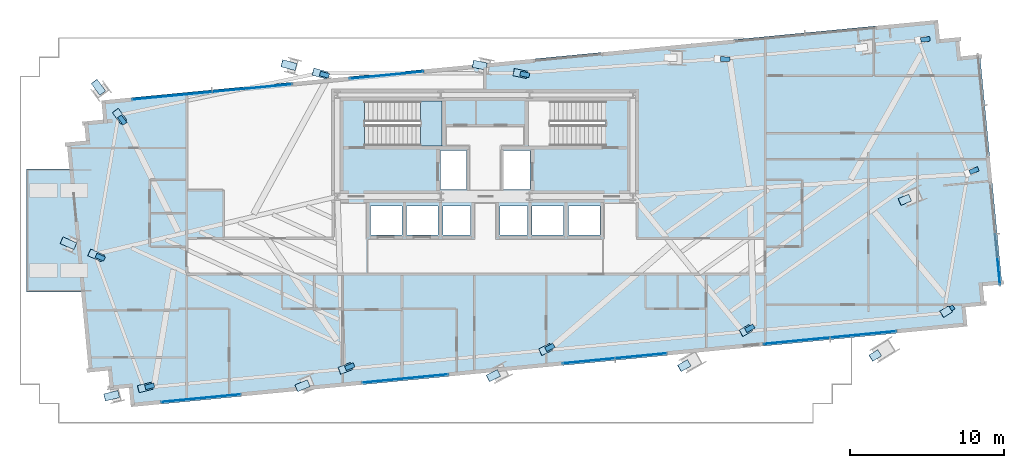
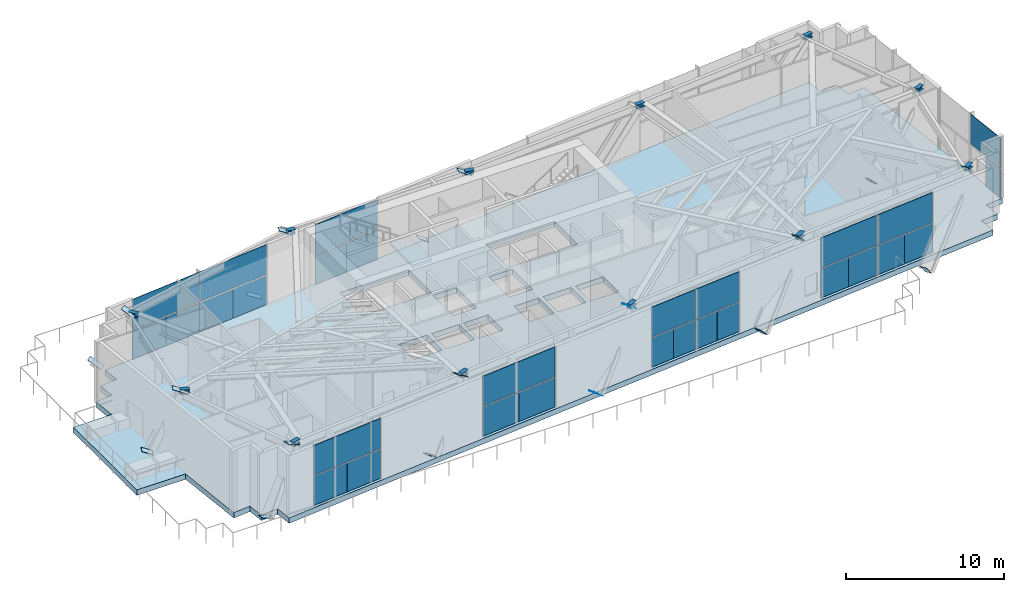
# One storey, part 19 of 28: 48 plates, 12 beams, 2 slabs, 8 elements without a shape of their own.
"""IFC4 building model written with IfcOpenShell, lengths in metres."""

from ifc_helpers import new_model, si_unit, direction, frame, origin, origin_2d, place, context, subcontext, project, spatial, polyline, rectangle, i_section, outline, extrude, source, transform, mapped, material, layer, layer_set, material_profile, profile_set, type_object, type_shapes, element, aggregate, save


model = new_model("IFC4")

# Units and contexts
model_context = context("Model", 3, precision=1e-05, world=origin(), true_north=direction((0.0, 1.0)))
body_context = subcontext(model_context, "Body", "Model", "MODEL_VIEW")
ifc_project = project(units=[si_unit("LENGTHUNIT", "METRE"), si_unit("AREAUNIT", "SQUARE_METRE"), si_unit("VOLUMEUNIT", "CUBIC_METRE"), si_unit("PLANEANGLEUNIT", "RADIAN"), si_unit("MASSUNIT", "GRAM", prefix="KILO")], contexts=[model_context])

# Site, building, storey
site_placement = place(None, origin())
site = spatial("IfcSite", under=ifc_project, at=site_placement, CompositionType="ELEMENT")
building_placement = place(site_placement, origin())
building = spatial("IfcBuilding", under=site, at=building_placement, Name="Astriad Promenade Condominiums", CompositionType="ELEMENT")
storey_placement = place(building_placement, frame((0.0, 0.0, 72.60009765625)))
storey = spatial("IfcBuildingStorey", under=building, at=storey_placement, Name="L20", CompositionType="ELEMENT", Elevation=72.60009765625)

# Beams
ifc_material_1 = material(Name="Steel ASTM A992 Grade 50", Category="steel")
ifc_material_profile = material_profile(ifc_material_1, i_section(OverallWidth=0.3046875, OverallDepth=0.307861328125, WebThickness=0.010009765625, FlangeThickness=0.015380859375, FilletRadius=0.01513671875, at=origin_2d()), Name="W12X65")
ifc_profile_set = profile_set([ifc_material_profile], Name="Steel ASTM A992 Grade 50")
beam_type = type_object("IfcBeamType", Name="STEEL TRANSFER SPLICE HEADER W12X65", PredefinedType="LINTEL", material=ifc_profile_set)
shared_shape_1 = source(origin(), body_context, "Body", "SweptSolid", [
    extrude(i_section(OverallWidth=0.3046875, OverallDepth=0.307861328125, WebThickness=0.010009765625, FlangeThickness=0.015380859375, FilletRadius=0.01513671875, at=origin_2d()), origin(), (0.0, 0.0, 1.0), 0.6015625),
])
for number, where, z_axis, x_axis, name in (
    (1, (13.9140625, 4.99658203125, 4.6259765625), (0.970901724713, 0.239478268219, 0.0), (-0.239478268219, 0.970901724713, 0.0), "Column Transfer Splice Header SPL-PC01-L20"),
    (2, (26.92333984375, 6.231689453125, 4.6259765625), (0.92735290327, 0.374187911079, 0.0), (-0.374187911079, 0.92735290327, 0.0), "Column Transfer Splice Header SPL-PC02-L20"),
    (3, (52.93310546875, 8.689453125, 4.6259765625), (0.868567654377, 0.495570610277, 0.0), (-0.495570610277, 0.868567654377, 0.0), "Column Transfer Splice Header SPL-PC04-L20"),
    (4, (12.24169921875, 22.6142578125, 4.6259765625), (0.588967863494, -0.808156455008, 0.0), (0.808156455008, 0.588967863494, 0.0), "Column Transfer Splice Header SPL-PC06-L20"),
    (5, (25.26953125, 25.392333984375, 4.6259765625), (0.965230639242, -0.261399718954, 0.0), (0.261399718954, 0.965230639242, 0.0), "Column Transfer Splice Header SPL-PC07-L20"),
    (6, (38.28271484375, 25.394775390625, 4.6259765625), (0.979696819425, -0.200484767521, 0.0), (0.200484767521, 0.979696819425, 0.0), "Column Transfer Splice Header SPL-PC08-L20"),
    (7, (51.29345703125, 26.337646484375, 4.6259765625), (0.999641164632, -0.026786973961, 0.0), (0.026786973961, 0.999641164632, 0.0), "Column Transfer Splice Header SPL-PC09-L20"),
    (8, (64.30029296875, 27.5732421875, 4.6259765625), (0.991634328472, 0.129078885163, 0.0), (-0.129078885163, 0.991634328472, 0.0), "Column Transfer Splice Header SPL-PC10-L20"),
    (9, (10.71337890625, 13.577392578125, 4.6259765625), (0.915344956822, -0.402670597413, 0.0), (0.402670597413, 0.915344956822, 0.0), "Column Transfer Splice Header SPL-PC11-L20"),
):
    element("IfcBeam", number, at=place(storey_placement, frame(where, z_axis=z_axis, x_axis=x_axis)), inside=storey, type_object=beam_type, Name=name, PredefinedType="LINTEL", context=body_context, shape_type="MappedRepresentation", body=[
        mapped(shared_shape_1, transform((0.0, 0.0, 0.0), scale=1.0)),
    ])
shared_shape_2 = source(origin(), body_context, "Body", "SweptSolid", [
    extrude(i_section(OverallWidth=0.3046875, OverallDepth=0.307861328125, WebThickness=0.010009765625, FlangeThickness=0.015380859375, FilletRadius=0.01513671875, at=origin_2d()), origin(), (0.0, 0.0, 1.0), 0.601318359375),
])
type_shapes(beam_type, [shared_shape_1, shared_shape_2])
for number, where, z_axis, x_axis, name in (
    (10, (39.92919921875, 7.462158203125, 4.6259765625), (0.893532281029, 0.448998956301, 0.0), (-0.448998956301, 0.893532281029, 0.0), "Column Transfer Splice Header SPL-PC03-L20"),
    (11, (65.9365234375, 9.915283203125, 4.6259765625), (0.850135338332, 0.526564247286, 0.0), (-0.526564247286, 0.850135338332, 0.0), "Column Transfer Splice Header SPL-PC05-L20"),
    (12, (67.48828125, 18.971435546875, 4.6259765625), (0.920899988476, 0.389798936921, 0.0), (-0.389798936921, 0.920899988476, 0.0), "Column Transfer Splice Header SPL-PC12-L20"),
):
    element("IfcBeam", number, at=place(storey_placement, frame(where, z_axis=z_axis, x_axis=x_axis)), inside=storey, type_object=beam_type, Name=name, PredefinedType="LINTEL", context=body_context, shape_type="MappedRepresentation", body=[
        mapped(shared_shape_2, transform((0.0, 0.0, 0.0), scale=1.0)),
    ])

# Slab
ifc_material_2 = material(Name="Concrete C60/75", Category="concrete")
ifc_layer_1 = layer(ifc_material_2, 0.419921875)
ifc_layer_set_1 = layer_set([ifc_layer_1], Name="Concrete C60/75")
slab_type_1 = type_object("IfcSlabType", Name="CONCRETE TRANSFER FLOOR SLAB 420", PredefinedType="FLOOR", material=ifc_layer_set_1)
slab_1_placement = place(storey_placement, frame((0.0, 0.0, -0.420166015625)))
element("IfcSlab", 13, at=slab_1_placement, inside=storey, type_object=slab_type_1, Name="Structural Floor Slab (L20)", PredefinedType="FLOOR", context=body_context, shape_type="SweptSolid", body=[
    extrude(outline(polyline([(8.98291015625, 19.199951171875), (6.199951171875, 19.199951171875), (6.199951171875, 11.199951171875), (9.753173828125, 11.199951171875), (10.256103515625, 5.978271484375), (11.500244140625, 6.09814453125), (11.6201171875, 4.85400390625), (12.8642578125, 4.9736328125), (12.984130859375, 3.7294921875), (67.332763671875, 8.962646484375), (67.212890625, 10.206787109375), (68.457275390625, 10.32666015625), (68.33740234375, 11.57080078125), (69.58154296875, 11.690673828125), (68.14404296875, 26.62158203125), (66.899658203125, 26.501953125), (66.77978515625, 27.74609375), (65.53564453125, 27.626220703125), (65.416015625, 28.87060546875), (11.067138671875, 23.637451171875), (11.18701171875, 22.39306640625), (9.94287109375, 22.273193359375), (10.0625, 21.029052734375), (8.818359375, 20.9091796875), (8.98291015625, 19.199951171875)]), holes=[polyline([(28.175048828125, 20.699951171875), (33.175048828125, 20.699951171875), (33.175048828125, 23.60009765625), (28.175048828125, 23.60009765625), (28.175048828125, 20.699951171875)]), polyline([(38.824951171875, 20.699951171875), (43.824951171875, 20.699951171875), (43.824951171875, 23.60009765625), (38.824951171875, 23.60009765625), (38.824951171875, 20.699951171875)]), polyline([(33.10009765625, 17.85009765625), (34.800048828125, 17.85009765625), (34.800048828125, 20.39990234375), (33.10009765625, 20.39990234375), (33.10009765625, 17.85009765625)]), polyline([(37.199951171875, 17.85009765625), (38.89990234375, 17.85009765625), (38.89990234375, 20.39990234375), (37.199951171875, 20.39990234375), (37.199951171875, 17.85009765625)]), polyline([(28.550048828125, 14.89990234375), (30.60009765625, 14.89990234375), (30.60009765625, 16.800048828125), (28.550048828125, 16.800048828125), (28.550048828125, 14.89990234375)]), polyline([(30.89990234375, 14.89990234375), (32.949951171875, 14.89990234375), (32.949951171875, 16.800048828125), (30.89990234375, 16.800048828125), (30.89990234375, 14.89990234375)]), polyline([(33.25, 14.89990234375), (35.050048828125, 14.89990234375), (35.050048828125, 16.800048828125), (33.25, 16.800048828125), (33.25, 14.89990234375)]), polyline([(36.949951171875, 14.89990234375), (38.75, 14.89990234375), (38.75, 16.800048828125), (36.949951171875, 16.800048828125), (36.949951171875, 14.89990234375)]), polyline([(39.050048828125, 14.89990234375), (41.10009765625, 14.89990234375), (41.10009765625, 16.800048828125), (39.050048828125, 16.800048828125), (39.050048828125, 14.89990234375)]), polyline([(41.39990234375, 14.89990234375), (43.449951171875, 14.89990234375), (43.449951171875, 16.800048828125), (41.39990234375, 16.800048828125), (41.39990234375, 14.89990234375)])]), origin(), (0.0, 0.0, 1.0), 0.420166015625),
])

# Stair, slab
ifc_material_3 = material(Name="Concrete C50/60", Category="concrete")
stair_type = type_object("IfcStairType", Name="STR-CORE-1350", PredefinedType="HALF_TURN_STAIR", material=ifc_material_3)
stair_placement = place(storey_placement, origin())
stair = element("IfcStair", 14, at=stair_placement, inside=storey, type_object=stair_type, Name="L20 Enclosed Core Exit Stair ST-1", PredefinedType="HALF_TURN_STAIR")
ifc_layer_2 = layer(ifc_material_3, 0.219970703125)
ifc_layer_set_2 = layer_set([ifc_layer_2], Name="Concrete C50/60")
slab_type_2 = type_object("IfcSlabType", Name="SLB-LANDING-220", PredefinedType="LANDING", material=ifc_layer_set_2)
slab_2_placement = place(storey_placement, frame((0.0, 0.0, 2.39990234375)))
slab_2 = element("IfcSlab", 15, at=slab_2_placement, type_object=slab_type_2, Name="ST-1 landing 1", PredefinedType="LANDING", context=body_context, shape_type="SweptSolid", body=[
    extrude(outline(polyline([(31.7900390625, 20.699951171875), (33.199951171875, 20.699951171875), (33.199951171875, 23.60009765625), (31.7900390625, 23.60009765625), (31.7900390625, 20.699951171875)])), origin(), (0.0, 0.0, 1.0), 0.199951171875),
])
aggregate(stair, [slab_2])

# Plates
ifc_material_4 = material(Name="Steel ASTM A572 Grade 50", Category="steel")
ifc_layer_3 = layer(ifc_material_4, 0.02490234375)
ifc_layer_set_3 = layer_set([ifc_layer_3], Name="Steel ASTM A572 Grade 50")
plate_type_1 = type_object("IfcPlateType", Name="STEEL HOLLOW SECTION END CAP PLATE 30", PredefinedType="USERDEFINED", material=ifc_layer_set_3)
shared_shape_3 = source(origin(), body_context, "Body", "SweptSolid", [
    extrude(rectangle(XDim=0.477294921875, YDim=1.05126953125, at=origin_2d()), origin(), (0.0, 0.0, 1.0), 0.02490234375),
])
type_shapes(plate_type_1, [shared_shape_3])
for number, where, z_axis, x_axis, name in (
    (16, (11.72412109375, 4.455078125, 0.086181640625), (0.428542470955, 0.106014705989, 0.897280464906), (-0.240145151742, 0.970736991206, 0.0), "Hollow Section End Cap Plate COL-PC01-L20-A"),
    (17, (13.9140625, 4.99658203125, 4.67138671875), (0.428542470955, 0.106014705989, 0.897280464906), (-0.240145151742, 0.970736991206, 0.0), "Hollow Section End Cap Plate COL-PC01-L20-B"),
    (18, (24.122314453125, 5.100341796875, 0.112548828125), (0.514106193029, 0.207630091012, 0.832216659047), (-0.374478994122, 0.927235397815, 0.0), "Hollow Section End Cap Plate COL-PC02-L20-A"),
    (19, (26.92333984375, 6.231689453125, 4.646728515625), (0.514106193029, 0.207630091012, 0.832216659047), (-0.374478994122, 0.927235397815, 0.0), "Hollow Section End Cap Plate COL-PC02-L20-B"),
    (20, (36.524658203125, 5.75146484375, 0.13427734375), (0.577971899222, 0.290426574112, 0.762627621293), (-0.448994452586, 0.893534544127, 0.0), "Hollow Section End Cap Plate COL-PC03-L20-A"),
    (21, (39.92919921875, 7.462158203125, 4.62646484375), (0.577971899222, 0.290426574112, 0.762627621293), (-0.448994452586, 0.893534544127, 0.0), "Hollow Section End Cap Plate COL-PC03-L20-B"),
    (22, (48.928955078125, 6.406005859375, 0.15185546875), (0.624345836021, 0.356073580012, 0.695272524023), (-0.495409330917, 0.868659654203, 0.0), "Hollow Section End Cap Plate COL-PC04-L20-A"),
    (23, (52.93310546875, 8.689697265625, 4.61083984375), (0.624345836021, 0.356073580012, 0.695272524023), (-0.495409330917, 0.868659654203, 0.0), "Hollow Section End Cap Plate COL-PC04-L20-B"),
    (24, (61.333984375, 7.062255859375, 0.165283203125), (0.657639022235, 0.407656174146, 0.633504033227), (-0.526864963438, 0.84994900453, 0.0), "Hollow Section End Cap Plate COL-PC05-L20-A"),
    (25, (65.936279296875, 9.915283203125, 4.598876953125), (0.657639022235, 0.407656174146, 0.633504033227), (-0.526864963438, 0.84994900453, 0.0), "Hollow Section End Cap Plate COL-PC05-L20-B"),
    (26, (10.864501953125, 24.50732421875, 0.08935546875), (0.267777077894, -0.368076241855, 0.890401772649), (0.808646969185, 0.588294211453, 0.0), "Hollow Section End Cap Plate COL-PC06-L20-A"),
    (27, (12.24169921875, 22.6142578125, 4.66845703125), (0.267777077894, -0.368076241855, 0.890401772649), (0.808646969185, 0.588294211453, 0.0), "Hollow Section End Cap Plate COL-PC06-L20-B"),
    (28, (23.242919921875, 25.940673828125, 0.080078125), (0.401037867207, -0.108457407056, 0.90961839247), (0.261063341294, 0.965321672725, 0.0), "Hollow Section End Cap Plate COL-PC07-L20-A"),
    (29, (25.269775390625, 25.392333984375, 4.67724609375), (0.401037867207, -0.108457407056, 0.90961839247), (0.261063341294, 0.965321672725, 0.0), "Hollow Section End Cap Plate COL-PC07-L20-B"),
    (30, (35.63671875, 25.937744140625, 0.10205078125), (0.499735328019, -0.102576952004, 0.860082886033), (0.201070437301, 0.979576785782, 0.0), "Hollow Section End Cap Plate COL-PC08-L20-A"),
    (31, (38.282958984375, 25.39453125, 4.65625), (0.499735328019, -0.102576952004, 0.860082886033), (0.201070437301, 0.979576785782, 0.0), "Hollow Section End Cap Plate COL-PC08-L20-B"),
    (32, (8.9150390625, 14.367431640625, 0.07470703125), (0.359056243983, -0.157716668992, 0.919893507956), (0.402165831031, 0.915566843191, 0.0), "Hollow Section End Cap Plate COL-PC11-L20-A"),
    (33, (10.713623046875, 13.577392578125, 4.68212890625), (0.359056243983, -0.157716668992, 0.919893507956), (0.402165831031, 0.915566843191, 0.0), "Hollow Section End Cap Plate COL-PC11-L20-B"),
    (34, (63.2578125, 17.1806640625, 0.1513671875), (0.660733991083, 0.279735498035, 0.696547661088), (-0.389869538704, 0.920870100932, 0.0), "Hollow Section End Cap Plate COL-PC12-L20-A"),
):
    element("IfcPlate", number, at=place(storey_placement, frame(where, z_axis=z_axis, x_axis=x_axis)), inside=storey, type_object=plate_type_1, Name=name, ObjectType="STIFFENER_PLATE", PredefinedType="USERDEFINED", context=body_context, shape_type="MappedRepresentation", body=[
        mapped(shared_shape_3, transform((0.0, 0.0, 0.0), scale=1.0)),
    ])

# Curtain wall, plates
ifc_material_5 = material(Name="Anodised aluminium Black Dark Glass Unitised", Category="aluminium")
curtain_wall_type = type_object("IfcCurtainWallType", Name="CW-B2-DARK", PredefinedType="USERDEFINED", material=ifc_material_5)
curtain_wall_1_placement = place(storey_placement, origin())
curtain_wall_1 = element("IfcCurtainWall", 35, at=curtain_wall_1_placement, inside=storey, type_object=curtain_wall_type, Name="CW-L20-N-1", ObjectType="UNITISED_CURTAIN_WALL", PredefinedType="USERDEFINED")
ifc_material_6 = material(Name="Dark Tinted Low-E Laminated Glass", Category="glass")
ifc_layer_4 = layer(ifc_material_6, 0.035888671875)
ifc_layer_set_4 = layer_set([ifc_layer_4], Name="Dark Tinted Low-E Laminated Glass")
plate_type_2 = type_object("IfcPlateType", Name="PNL-DARK-GLASS-36", PredefinedType="CURTAIN_PANEL", material=ifc_layer_set_4)
shared_shape_4 = source(origin(), body_context, "Body", "SweptSolid", [
    extrude(rectangle(XDim=2.595458984375, YDim=0.035888671875, at=origin_2d()), origin(), (0.0, 0.0, 1.0), 2.22998046875),
])
plate_1_placement = place(storey_placement, frame((14.3681640625, 23.82470703125, 0.079833984375), z_axis=(0.0, 0.0, 1.0), x_axis=(0.995396198367, 0.09584575252, 0.0)))
plate_1 = element("IfcPlate", 36, at=plate_1_placement, type_object=plate_type_2, Name="CW-L20-N-1-PNL-00-VL", PredefinedType="CURTAIN_PANEL", context=body_context, shape_type="MappedRepresentation", body=[
    mapped(shared_shape_4, transform((0.0, 0.0, 0.0), scale=1.0)),
])
plate_2_placement = place(storey_placement, frame((16.9638671875, 24.07470703125, 0.079833984375), z_axis=(0.0, 0.0, 1.0), x_axis=(0.995396198367, 0.09584575252, 0.0)))
plate_2 = element("IfcPlate", 37, at=plate_2_placement, type_object=plate_type_2, Name="CW-L20-N-1-PNL-00-VR", PredefinedType="CURTAIN_PANEL", context=body_context, shape_type="MappedRepresentation", body=[
    mapped(shared_shape_4, transform((0.0, 0.0, 0.0), scale=1.0)),
])
plate_3_placement = place(storey_placement, frame((19.559326171875, 24.32470703125, 0.079833984375), z_axis=(0.0, 0.0, 1.0), x_axis=(0.995396198367, 0.09584575252, 0.0)))
plate_3 = element("IfcPlate", 38, at=plate_3_placement, type_object=plate_type_2, Name="CW-L20-N-1-PNL-01-VL", PredefinedType="CURTAIN_PANEL", context=body_context, shape_type="MappedRepresentation", body=[
    mapped(shared_shape_4, transform((0.0, 0.0, 0.0), scale=1.0)),
])
plate_4_placement = place(storey_placement, frame((22.15478515625, 24.574462890625, 0.079833984375), z_axis=(0.0, 0.0, 1.0), x_axis=(0.995396198367, 0.09584575252, 0.0)))
plate_4 = element("IfcPlate", 39, at=plate_4_placement, type_object=plate_type_2, Name="CW-L20-N-1-PNL-01-VR", PredefinedType="CURTAIN_PANEL", context=body_context, shape_type="MappedRepresentation", body=[
    mapped(shared_shape_4, transform((0.0, 0.0, 0.0), scale=1.0)),
])
shared_shape_5 = source(origin(), body_context, "Body", "SweptSolid", [
    extrude(rectangle(XDim=5.202880859375, YDim=0.035888671875, at=origin_2d()), origin(), (0.0, 0.0, 1.0), 2.31005859375),
])
plate_5_placement = place(storey_placement, frame((15.666015625, 23.94970703125, 2.389892578125), z_axis=(0.0, 0.0, 1.0), x_axis=(0.995396198367, 0.09584575252, 0.0)))
plate_5 = element("IfcPlate", 40, at=plate_5_placement, type_object=plate_type_2, Name="CW-L20-N-1-PNL-00-S", PredefinedType="CURTAIN_PANEL", context=body_context, shape_type="MappedRepresentation", body=[
    mapped(shared_shape_5, transform((0.0, 0.0, 0.0), scale=1.0)),
])
plate_6_placement = place(storey_placement, frame((20.85693359375, 24.449462890625, 2.389892578125), z_axis=(0.0, 0.0, 1.0), x_axis=(0.995396198367, 0.09584575252, 0.0)))
plate_6 = element("IfcPlate", 41, at=plate_6_placement, type_object=plate_type_2, Name="CW-L20-N-1-PNL-01-S", PredefinedType="CURTAIN_PANEL", context=body_context, shape_type="MappedRepresentation", body=[
    mapped(shared_shape_5, transform((0.0, 0.0, 0.0), scale=1.0)),
])
aggregate(curtain_wall_1, [plate_1, plate_2, plate_5, plate_3, plate_4, plate_6])

curtain_wall_2_placement = place(storey_placement, origin())
curtain_wall_2 = element("IfcCurtainWall", 42, at=curtain_wall_2_placement, inside=storey, type_object=curtain_wall_type, Name="CW-L20-N-2", ObjectType="UNITISED_CURTAIN_WALL", PredefinedType="USERDEFINED")
shared_shape_6 = source(origin(), body_context, "Body", "SweptSolid", [
    extrude(rectangle(XDim=2.39306640625, YDim=0.035888671875, at=origin_2d()), origin(), (0.0, 0.0, 1.0), 2.22998046875),
])
plate_7_placement = place(storey_placement, frame((28.402099609375, 25.176025390625, 0.079833984375), z_axis=(0.0, 0.0, 1.0), x_axis=(0.995396198367, 0.09584575252, 0.0)))
plate_7 = element("IfcPlate", 43, at=plate_7_placement, type_object=plate_type_2, Name="CW-L20-N-2-PNL-00-VL", PredefinedType="CURTAIN_PANEL", context=body_context, shape_type="MappedRepresentation", body=[
    mapped(shared_shape_6, transform((0.0, 0.0, 0.0), scale=1.0)),
])
plate_8_placement = place(storey_placement, frame((30.7958984375, 25.406494140625, 0.079833984375), z_axis=(0.0, 0.0, 1.0), x_axis=(0.995396198367, 0.09584575252, 0.0)))
plate_8 = element("IfcPlate", 44, at=plate_8_placement, type_object=plate_type_2, Name="CW-L20-N-2-PNL-00-VR", PredefinedType="CURTAIN_PANEL", context=body_context, shape_type="MappedRepresentation", body=[
    mapped(shared_shape_6, transform((0.0, 0.0, 0.0), scale=1.0)),
])
shared_shape_7 = source(origin(), body_context, "Body", "SweptSolid", [
    extrude(rectangle(XDim=4.798095703125, YDim=0.035888671875, at=origin_2d()), origin(), (0.0, 0.0, 1.0), 2.31005859375),
])
plate_9_placement = place(storey_placement, frame((29.59912109375, 25.291259765625, 2.389892578125), z_axis=(0.0, 0.0, 1.0), x_axis=(0.995396198367, 0.09584575252, 0.0)))
plate_9 = element("IfcPlate", 45, at=plate_9_placement, type_object=plate_type_2, Name="CW-L20-N-2-PNL-00-S", PredefinedType="CURTAIN_PANEL", context=body_context, shape_type="MappedRepresentation", body=[
    mapped(shared_shape_7, transform((0.0, 0.0, 0.0), scale=1.0)),
])
aggregate(curtain_wall_2, [plate_7, plate_8, plate_9])

curtain_wall_3_placement = place(storey_placement, origin())
curtain_wall_3 = element("IfcCurtainWall", 46, at=curtain_wall_3_placement, inside=storey, type_object=curtain_wall_type, Name="CW-L20-E-2", ObjectType="UNITISED_CURTAIN_WALL", PredefinedType="USERDEFINED")
shared_shape_8 = source(origin(), body_context, "Body", "SweptSolid", [
    extrude(rectangle(XDim=1.637939453125, YDim=0.035888671875, at=origin_2d()), origin(), (0.0, 0.0, 1.0), 2.22998046875),
])
plate_10_placement = place(storey_placement, frame((69.373291015625, 12.49951171875, 0.079833984375), z_axis=(0.0, 0.0, 1.0), x_axis=(0.095828379565, -0.99539787104, 0.0)))
plate_10 = element("IfcPlate", 47, at=plate_10_placement, type_object=plate_type_2, Name="CW-L20-E-2-PNL-01-VR", PredefinedType="CURTAIN_PANEL", context=body_context, shape_type="MappedRepresentation", body=[
    mapped(shared_shape_8, transform((0.0, 0.0, 0.0), scale=1.0)),
])
shared_shape_9 = source(origin(), body_context, "Body", "SweptSolid", [
    extrude(rectangle(XDim=3.2880859375, YDim=0.035888671875, at=origin_2d()), origin(), (0.0, 0.0, 1.0), 2.31005859375),
])
plate_11_placement = place(storey_placement, frame((69.294189453125, 13.32080078125, 2.389892578125), z_axis=(0.0, 0.0, 1.0), x_axis=(0.095828379565, -0.99539787104, 0.0)))
plate_11 = element("IfcPlate", 48, at=plate_11_placement, type_object=plate_type_2, Name="CW-L20-E-2-PNL-01-S", PredefinedType="CURTAIN_PANEL", context=body_context, shape_type="MappedRepresentation", body=[
    mapped(shared_shape_9, transform((0.0, 0.0, 0.0), scale=1.0)),
])
aggregate(curtain_wall_3, [plate_10, plate_11])

curtain_wall_4_placement = place(storey_placement, origin())
curtain_wall_4 = element("IfcCurtainWall", 49, at=curtain_wall_4_placement, inside=storey, type_object=curtain_wall_type, Name="CW-L20-S-1", ObjectType="UNITISED_CURTAIN_WALL", PredefinedType="USERDEFINED")
shared_shape_10 = source(origin(), body_context, "Body", "SweptSolid", [
    extrude(rectangle(XDim=2.157958984375, YDim=0.035888671875, at=origin_2d()), origin(), (0.0, 0.0, 1.0), 2.22998046875),
])
plate_12_placement = place(storey_placement, frame((61.6416015625, 8.545166015625, 0.079833984375), z_axis=(0.0, 0.0, 1.0), x_axis=(-0.995396198367, -0.09584575252, 0.0)))
plate_12 = element("IfcPlate", 50, at=plate_12_placement, type_object=plate_type_2, Name="CW-L20-S-1-PNL-00-VL", PredefinedType="CURTAIN_PANEL", context=body_context, shape_type="MappedRepresentation", body=[
    mapped(shared_shape_10, transform((0.0, 0.0, 0.0), scale=1.0)),
])
plate_13_placement = place(storey_placement, frame((59.481689453125, 8.337158203125, 0.079833984375), z_axis=(0.0, 0.0, 1.0), x_axis=(-0.995396198367, -0.09584575252, 0.0)))
plate_13 = element("IfcPlate", 51, at=plate_13_placement, type_object=plate_type_2, Name="CW-L20-S-1-PNL-00-VR", PredefinedType="CURTAIN_PANEL", context=body_context, shape_type="MappedRepresentation", body=[
    mapped(shared_shape_10, transform((0.0, 0.0, 0.0), scale=1.0)),
])
plate_14_placement = place(storey_placement, frame((57.321533203125, 8.129150390625, 0.079833984375), z_axis=(0.0, 0.0, 1.0), x_axis=(-0.995396198367, -0.09584575252, 0.0)))
plate_14 = element("IfcPlate", 52, at=plate_14_placement, type_object=plate_type_2, Name="CW-L20-S-1-PNL-01-VL", PredefinedType="CURTAIN_PANEL", context=body_context, shape_type="MappedRepresentation", body=[
    mapped(shared_shape_10, transform((0.0, 0.0, 0.0), scale=1.0)),
])
plate_15_placement = place(storey_placement, frame((55.16162109375, 7.921142578125, 0.079833984375), z_axis=(0.0, 0.0, 1.0), x_axis=(-0.995396198367, -0.09584575252, 0.0)))
plate_15 = element("IfcPlate", 53, at=plate_15_placement, type_object=plate_type_2, Name="CW-L20-S-1-PNL-01-VR", PredefinedType="CURTAIN_PANEL", context=body_context, shape_type="MappedRepresentation", body=[
    mapped(shared_shape_10, transform((0.0, 0.0, 0.0), scale=1.0)),
])
shared_shape_11 = source(origin(), body_context, "Body", "SweptSolid", [
    extrude(rectangle(XDim=4.327880859375, YDim=0.035888671875, at=origin_2d()), origin(), (0.0, 0.0, 1.0), 2.31005859375),
])
plate_16_placement = place(storey_placement, frame((60.5615234375, 8.441162109375, 2.389892578125), z_axis=(0.0, 0.0, 1.0), x_axis=(-0.995396198367, -0.09584575252, 0.0)))
plate_16 = element("IfcPlate", 54, at=plate_16_placement, type_object=plate_type_2, Name="CW-L20-S-1-PNL-00-S", PredefinedType="CURTAIN_PANEL", context=body_context, shape_type="MappedRepresentation", body=[
    mapped(shared_shape_11, transform((0.0, 0.0, 0.0), scale=1.0)),
])
plate_17_placement = place(storey_placement, frame((56.24169921875, 8.025146484375, 2.389892578125), z_axis=(0.0, 0.0, 1.0), x_axis=(-0.995396198367, -0.09584575252, 0.0)))
plate_17 = element("IfcPlate", 55, at=plate_17_placement, type_object=plate_type_2, Name="CW-L20-S-1-PNL-01-S", PredefinedType="CURTAIN_PANEL", context=body_context, shape_type="MappedRepresentation", body=[
    mapped(shared_shape_11, transform((0.0, 0.0, 0.0), scale=1.0)),
])
aggregate(curtain_wall_4, [plate_12, plate_13, plate_16, plate_14, plate_15, plate_17])

curtain_wall_5_placement = place(storey_placement, origin())
curtain_wall_5 = element("IfcCurtainWall", 56, at=curtain_wall_5_placement, inside=storey, type_object=curtain_wall_type, Name="CW-L20-S-2", ObjectType="UNITISED_CURTAIN_WALL", PredefinedType="USERDEFINED")
shared_shape_12 = source(origin(), body_context, "Body", "SweptSolid", [
    extrude(rectangle(XDim=1.685546875, YDim=0.035888671875, at=origin_2d()), origin(), (0.0, 0.0, 1.0), 2.22998046875),
])
plate_18_placement = place(storey_placement, frame((46.955810546875, 7.131103515625, 0.079833984375), z_axis=(0.0, 0.0, 1.0), x_axis=(-0.995396198367, -0.09584575252, 0.0)))
plate_18 = element("IfcPlate", 57, at=plate_18_placement, type_object=plate_type_2, Name="CW-L20-S-2-PNL-00-VL", PredefinedType="CURTAIN_PANEL", context=body_context, shape_type="MappedRepresentation", body=[
    mapped(shared_shape_12, transform((0.0, 0.0, 0.0), scale=1.0)),
])
plate_19_placement = place(storey_placement, frame((45.26611328125, 6.968505859375, 0.079833984375), z_axis=(0.0, 0.0, 1.0), x_axis=(-0.995396198367, -0.09584575252, 0.0)))
plate_19 = element("IfcPlate", 58, at=plate_19_placement, type_object=plate_type_2, Name="CW-L20-S-2-PNL-00-VR", PredefinedType="CURTAIN_PANEL", context=body_context, shape_type="MappedRepresentation", body=[
    mapped(shared_shape_12, transform((0.0, 0.0, 0.0), scale=1.0)),
])
plate_20_placement = place(storey_placement, frame((43.576416015625, 6.8056640625, 0.079833984375), z_axis=(0.0, 0.0, 1.0), x_axis=(-0.995396198367, -0.09584575252, 0.0)))
plate_20 = element("IfcPlate", 59, at=plate_20_placement, type_object=plate_type_2, Name="CW-L20-S-2-PNL-01-VL", PredefinedType="CURTAIN_PANEL", context=body_context, shape_type="MappedRepresentation", body=[
    mapped(shared_shape_12, transform((0.0, 0.0, 0.0), scale=1.0)),
])
plate_21_placement = place(storey_placement, frame((41.88671875, 6.64306640625, 0.079833984375), z_axis=(0.0, 0.0, 1.0), x_axis=(-0.995396198367, -0.09584575252, 0.0)))
plate_21 = element("IfcPlate", 60, at=plate_21_placement, type_object=plate_type_2, Name="CW-L20-S-2-PNL-01-VR", PredefinedType="CURTAIN_PANEL", context=body_context, shape_type="MappedRepresentation", body=[
    mapped(shared_shape_12, transform((0.0, 0.0, 0.0), scale=1.0)),
])
shared_shape_13 = source(origin(), body_context, "Body", "SweptSolid", [
    extrude(rectangle(XDim=3.383056640625, YDim=0.035888671875, at=origin_2d()), origin(), (0.0, 0.0, 1.0), 2.31005859375),
])
plate_22_placement = place(storey_placement, frame((46.11083984375, 7.0498046875, 2.389892578125), z_axis=(0.0, 0.0, 1.0), x_axis=(-0.995396198367, -0.09584575252, 0.0)))
plate_22 = element("IfcPlate", 61, at=plate_22_placement, type_object=plate_type_2, Name="CW-L20-S-2-PNL-00-S", PredefinedType="CURTAIN_PANEL", context=body_context, shape_type="MappedRepresentation", body=[
    mapped(shared_shape_13, transform((0.0, 0.0, 0.0), scale=1.0)),
])
plate_23_placement = place(storey_placement, frame((42.7314453125, 6.724365234375, 2.389892578125), z_axis=(0.0, 0.0, 1.0), x_axis=(-0.995396198367, -0.09584575252, 0.0)))
plate_23 = element("IfcPlate", 62, at=plate_23_placement, type_object=plate_type_2, Name="CW-L20-S-2-PNL-01-S", PredefinedType="CURTAIN_PANEL", context=body_context, shape_type="MappedRepresentation", body=[
    mapped(shared_shape_13, transform((0.0, 0.0, 0.0), scale=1.0)),
])
aggregate(curtain_wall_5, [plate_18, plate_19, plate_22, plate_20, plate_21, plate_23])

curtain_wall_6_placement = place(storey_placement, origin())
curtain_wall_6 = element("IfcCurtainWall", 63, at=curtain_wall_6_placement, inside=storey, type_object=curtain_wall_type, Name="CW-L20-S-3", ObjectType="UNITISED_CURTAIN_WALL", PredefinedType="USERDEFINED")
shared_shape_14 = source(origin(), body_context, "Body", "SweptSolid", [
    extrude(rectangle(XDim=2.802978515625, YDim=0.035888671875, at=origin_2d()), origin(), (0.0, 0.0, 1.0), 2.22998046875),
])
plate_24_placement = place(storey_placement, frame((32.205078125, 5.710693359375, 0.079833984375), z_axis=(0.0, 0.0, 1.0), x_axis=(-0.995396198367, -0.09584575252, 0.0)))
plate_24 = element("IfcPlate", 64, at=plate_24_placement, type_object=plate_type_2, Name="CW-L20-S-3-PNL-00-VL", PredefinedType="CURTAIN_PANEL", context=body_context, shape_type="MappedRepresentation", body=[
    mapped(shared_shape_14, transform((0.0, 0.0, 0.0), scale=1.0)),
])
plate_25_placement = place(storey_placement, frame((29.4033203125, 5.44091796875, 0.079833984375), z_axis=(0.0, 0.0, 1.0), x_axis=(-0.995396198367, -0.09584575252, 0.0)))
plate_25 = element("IfcPlate", 65, at=plate_25_placement, type_object=plate_type_2, Name="CW-L20-S-3-PNL-00-VR", PredefinedType="CURTAIN_PANEL", context=body_context, shape_type="MappedRepresentation", body=[
    mapped(shared_shape_14, transform((0.0, 0.0, 0.0), scale=1.0)),
])
shared_shape_15 = source(origin(), body_context, "Body", "SweptSolid", [
    extrude(rectangle(XDim=5.617919921875, YDim=0.035888671875, at=origin_2d()), origin(), (0.0, 0.0, 1.0), 2.31005859375),
])
plate_26_placement = place(storey_placement, frame((30.80419921875, 5.575927734375, 2.389892578125), z_axis=(0.0, 0.0, 1.0), x_axis=(-0.995396198367, -0.09584575252, 0.0)))
plate_26 = element("IfcPlate", 66, at=plate_26_placement, type_object=plate_type_2, Name="CW-L20-S-3-PNL-00-S", PredefinedType="CURTAIN_PANEL", context=body_context, shape_type="MappedRepresentation", body=[
    mapped(shared_shape_15, transform((0.0, 0.0, 0.0), scale=1.0)),
])
aggregate(curtain_wall_6, [plate_24, plate_25, plate_26])

curtain_wall_7_placement = place(storey_placement, origin())
curtain_wall_7 = element("IfcCurtainWall", 67, at=curtain_wall_7_placement, inside=storey, type_object=curtain_wall_type, Name="CW-L20-S-4", ObjectType="UNITISED_CURTAIN_WALL", PredefinedType="USERDEFINED")
shared_shape_16 = source(origin(), body_context, "Body", "SweptSolid", [
    extrude(rectangle(XDim=2.5830078125, YDim=0.035888671875, at=origin_2d()), origin(), (0.0, 0.0, 1.0), 2.22998046875),
])
plate_27_placement = place(storey_placement, frame((18.837158203125, 4.423583984375, 0.079833984375), z_axis=(0.0, 0.0, 1.0), x_axis=(-0.995396198367, -0.09584575252, 0.0)))
plate_27 = element("IfcPlate", 68, at=plate_27_placement, type_object=plate_type_2, Name="CW-L20-S-4-PNL-00-VL", PredefinedType="CURTAIN_PANEL", context=body_context, shape_type="MappedRepresentation", body=[
    mapped(shared_shape_16, transform((0.0, 0.0, 0.0), scale=1.0)),
])
plate_28_placement = place(storey_placement, frame((16.25390625, 4.1748046875, 0.079833984375), z_axis=(0.0, 0.0, 1.0), x_axis=(-0.995396198367, -0.09584575252, 0.0)))
plate_28 = element("IfcPlate", 69, at=plate_28_placement, type_object=plate_type_2, Name="CW-L20-S-4-PNL-00-VR", PredefinedType="CURTAIN_PANEL", context=body_context, shape_type="MappedRepresentation", body=[
    mapped(shared_shape_16, transform((0.0, 0.0, 0.0), scale=1.0)),
])
shared_shape_17 = source(origin(), body_context, "Body", "SweptSolid", [
    extrude(rectangle(XDim=5.177978515625, YDim=0.035888671875, at=origin_2d()), origin(), (0.0, 0.0, 1.0), 2.31005859375),
])
type_shapes(plate_type_2, [shared_shape_4, shared_shape_5, shared_shape_6, shared_shape_7, shared_shape_8, shared_shape_9, shared_shape_10, shared_shape_11, shared_shape_12, shared_shape_13, shared_shape_14, shared_shape_15, shared_shape_16, shared_shape_17])
plate_29_placement = place(storey_placement, frame((17.54541015625, 4.29931640625, 2.389892578125), z_axis=(0.0, 0.0, 1.0), x_axis=(-0.995396198367, -0.09584575252, 0.0)))
plate_29 = element("IfcPlate", 70, at=plate_29_placement, type_object=plate_type_2, Name="CW-L20-S-4-PNL-00-S", PredefinedType="CURTAIN_PANEL", context=body_context, shape_type="MappedRepresentation", body=[
    mapped(shared_shape_17, transform((0.0, 0.0, 0.0), scale=1.0)),
])
aggregate(curtain_wall_7, [plate_27, plate_28, plate_29])

save(model, "model.ifc")
